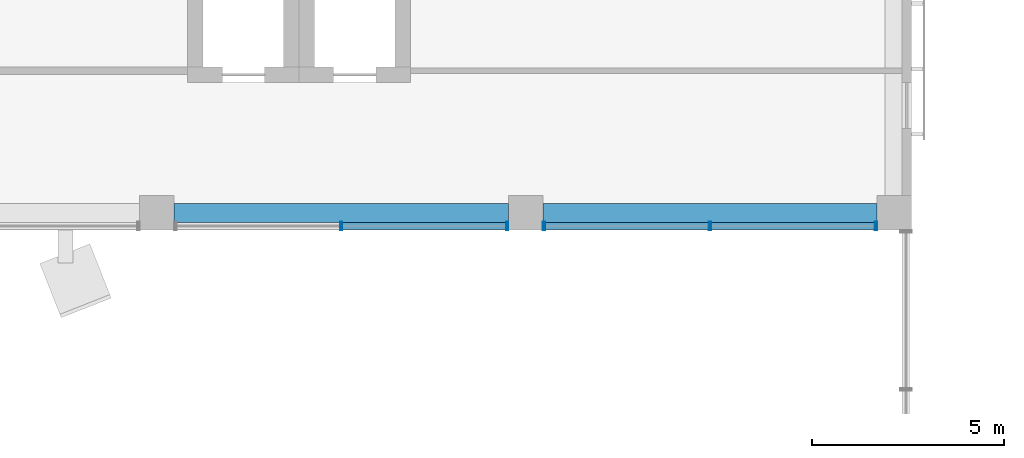
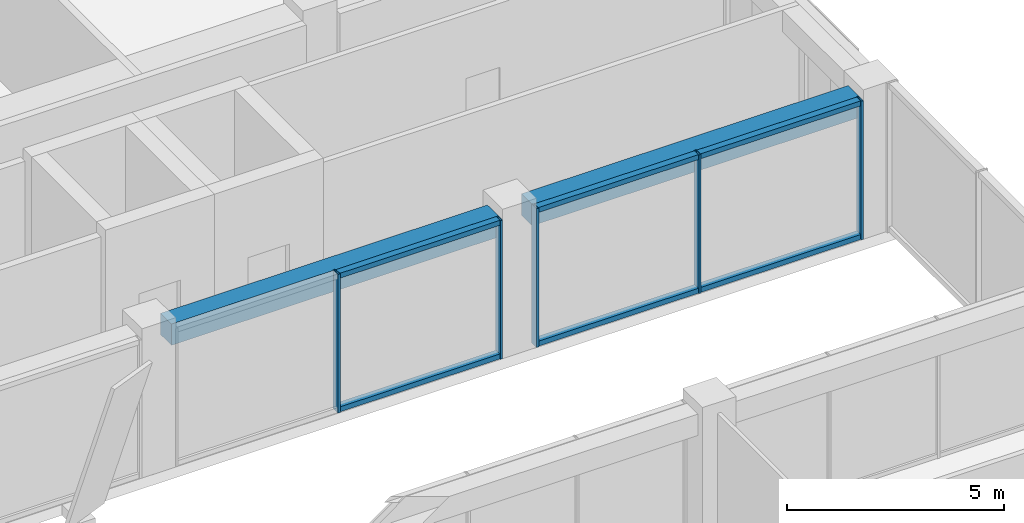
# One storey, part 18 of 36: 11 members, 2 beams, 2 elements without a shape of their own.
"""IFC4 building model written with IfcOpenShell, lengths in metres."""

from ifc_helpers import new_model, si_unit, direction, frame, origin, origin_2d, place, context, subcontext, project, spatial, rectangle, hollow_rectangle, extrude, material, layer, layer_set, material_profile, profile_set, type_object, element, aggregate, save


model = new_model("IFC4")

# Units and contexts
model_context = context("Model", 3, precision=1e-05, world=origin(), true_north=direction((0.0, 1.0)))
body_context = subcontext(model_context, "Body", "Model", "MODEL_VIEW")
ifc_project = project(units=[si_unit("LENGTHUNIT", "METRE"), si_unit("AREAUNIT", "SQUARE_METRE"), si_unit("VOLUMEUNIT", "CUBIC_METRE"), si_unit("PLANEANGLEUNIT", "RADIAN"), si_unit("MASSUNIT", "GRAM", prefix="KILO")], contexts=[model_context])

# Site, building, storey
site_placement = place(None, origin())
site = spatial("IfcSite", under=ifc_project, at=site_placement, CompositionType="ELEMENT")
building_placement = place(site_placement, origin())
building = spatial("IfcBuilding", under=site, at=building_placement, Name="Nzadi Deep Aquarium and Research Tower", CompositionType="ELEMENT")
storey_placement = place(building_placement, frame((0.0, 0.0, 40.300048828125)))
storey = spatial("IfcBuildingStorey", under=building, at=storey_placement, Name="L07", CompositionType="ELEMENT", Elevation=40.300048828125)

# Curtain wall, members
ifc_material_1 = material(Name="Aluminium unitised frame deep", Category="aluminium")
ifc_layer = layer(ifc_material_1, 0.22509765625)
ifc_layer_set = layer_set([ifc_layer], Name="Aluminium unitised frame deep")
curtain_wall_type = type_object("IfcCurtainWallType", Name="Curtain wall Unitised Deep 225", PredefinedType="NOTDEFINED", material=ifc_layer_set)
curtain_wall_1_placement = place(storey_placement, origin())
curtain_wall_1 = element("IfcCurtainWall", 1, at=curtain_wall_1_placement, inside=storey, type_object=curtain_wall_type, Name="Unitised curtain wall blade B south L07", PredefinedType="NOTDEFINED")
ifc_material_2 = material(Name="Aluminium unitised frame deep", Category="aluminium")
ifc_material_profile_1 = material_profile(ifc_material_2, hollow_rectangle(XDim=0.22509765625, YDim=0.06005859375, WallThickness=0.0048828125, at=origin_2d()))
ifc_profile_set_1 = profile_set([ifc_material_profile_1], Name="Aluminium unitised frame deep")
member_type_1 = type_object("IfcMemberType", Name="Mullion 60x225 Unitised Deep", PredefinedType="MULLION", material=ifc_profile_set_1)
member_1_placement = place(storey_placement, frame((33.60009765625, 27.262451171875, 0.0), z_axis=(0.0, 0.0, 1.0), x_axis=(0.0, 1.0, 0.0)))
member_1 = element("IfcMember", 2, at=member_1_placement, type_object=member_type_1, Name="CW101 mullion 2", PredefinedType="MULLION", context=body_context, shape_type="SweptSolid", body=[
    extrude(hollow_rectangle(XDim=0.22509765625, YDim=0.06005859375, WallThickness=0.0048828125, at=origin_2d()), origin(), (0.0, 0.0, 1.0), 3.89990234375),
])
member_2_placement = place(storey_placement, frame((37.919921875, 27.262451171875, 0.0), z_axis=(0.0, 0.0, 1.0), x_axis=(0.0, 1.0, 0.0)))
member_2 = element("IfcMember", 3, at=member_2_placement, type_object=member_type_1, Name="CW101 mullion 3", PredefinedType="MULLION", context=body_context, shape_type="SweptSolid", body=[
    extrude(hollow_rectangle(XDim=0.22509765625, YDim=0.06005859375, WallThickness=0.0048828125, at=origin_2d()), origin(), (0.0, 0.0, 1.0), 3.89990234375),
])

curtain_wall_2_placement = place(storey_placement, origin())
curtain_wall_2 = element("IfcCurtainWall", 4, at=curtain_wall_2_placement, inside=storey, type_object=curtain_wall_type, Name="Unitised curtain wall blade B south L07", PredefinedType="NOTDEFINED")
member_3_placement = place(storey_placement, frame((38.8798828125, 27.262451171875, 0.0), z_axis=(0.0, 0.0, 1.0), x_axis=(0.0, 1.0, 0.0)))
member_3 = element("IfcMember", 5, at=member_3_placement, type_object=member_type_1, Name="CW102 mullion 1", PredefinedType="MULLION", context=body_context, shape_type="SweptSolid", body=[
    extrude(hollow_rectangle(XDim=0.22509765625, YDim=0.06005859375, WallThickness=0.0048828125, at=origin_2d()), origin(), (0.0, 0.0, 1.0), 3.89990234375),
])
member_4_placement = place(storey_placement, frame((43.199951171875, 27.262451171875, 0.0), z_axis=(0.0, 0.0, 1.0), x_axis=(0.0, 1.0, 0.0)))
member_4 = element("IfcMember", 6, at=member_4_placement, type_object=member_type_1, Name="CW102 mullion 2", PredefinedType="MULLION", context=body_context, shape_type="SweptSolid", body=[
    extrude(hollow_rectangle(XDim=0.22509765625, YDim=0.06005859375, WallThickness=0.0048828125, at=origin_2d()), origin(), (0.0, 0.0, 1.0), 3.89990234375),
])
member_5_placement = place(storey_placement, frame((47.52001953125, 27.262451171875, 0.0), z_axis=(0.0, 0.0, 1.0), x_axis=(0.0, 1.0, 0.0)))
member_5 = element("IfcMember", 7, at=member_5_placement, type_object=member_type_1, Name="CW102 mullion 3", PredefinedType="MULLION", context=body_context, shape_type="SweptSolid", body=[
    extrude(hollow_rectangle(XDim=0.22509765625, YDim=0.06005859375, WallThickness=0.0048828125, at=origin_2d()), origin(), (0.0, 0.0, 1.0), 3.89990234375),
])

# Beams
ifc_material_3 = material(Name="Concrete C35/45", Category="concrete")
ifc_material_profile_2 = material_profile(ifc_material_3, rectangle(XDim=0.5, YDim=0.60009765625, at=origin_2d()))
ifc_profile_set_2 = profile_set([ifc_material_profile_2], Name="Concrete C35/45")
beam_type = type_object("IfcBeamType", Name="RC 500x600", PredefinedType="BEAM", material=ifc_profile_set_2)
for number, where, z_axis, x_axis, name in (
    (8, (29.25, 27.60009765625, 3.599853515625), (1.0, 0.0, 0.0), (0.0, 1.0, 0.0), "B-Z1-L07-L4-4"),
    (9, (38.85009765625, 27.60009765625, 3.599853515625), (1.0, 0.0, 0.0), (0.0, 1.0, 0.0), "B-Z1-L07-L4-5"),
):
    element("IfcBeam", number, at=place(storey_placement, frame(where, z_axis=z_axis, x_axis=x_axis)), inside=storey, type_object=beam_type, Name=name, PredefinedType="BEAM", context=body_context, shape_type="SweptSolid", body=[
        extrude(rectangle(XDim=0.5, YDim=0.60009765625, at=origin_2d()), origin(), (0.0, 0.0, 1.0), 8.699951171875),
    ])

# Member
ifc_material_4 = material(Name="Aluminium unitised frame deep", Category="aluminium")
ifc_material_profile_3 = material_profile(ifc_material_4, hollow_rectangle(XDim=0.179931640625, YDim=0.139892578125, WallThickness=0.0048828125, at=origin_2d()))
ifc_profile_set_3 = profile_set([ifc_material_profile_3], Name="Aluminium unitised frame deep")
member_type_2 = type_object("IfcMemberType", Name="Transom 140x180 Unitised Deep", PredefinedType="MULLION", material=ifc_profile_set_3)
member_6_placement = place(storey_placement, frame((33.6298828125, 27.262451171875, 0.070068359375), z_axis=(1.0, 0.0, 0.0), x_axis=(0.0, 1.0, 0.0)))
member_6 = element("IfcMember", 10, at=member_6_placement, type_object=member_type_2, Name="CW101 transom 2.1", PredefinedType="MULLION", context=body_context, shape_type="SweptSolid", body=[
    extrude(hollow_rectangle(XDim=0.179931640625, YDim=0.139892578125, WallThickness=0.0048828125, at=origin_2d()), origin(), (0.0, 0.0, 1.0), 4.260009765625),
])

member_7_placement = place(storey_placement, frame((33.6298828125, 27.262451171875, 3.829833984375), z_axis=(1.0, 0.0, 0.0), x_axis=(0.0, 1.0, 0.0)))
member_7 = element("IfcMember", 11, at=member_7_placement, type_object=member_type_2, Name="CW101 transom 2.2", PredefinedType="MULLION", context=body_context, shape_type="SweptSolid", body=[
    extrude(hollow_rectangle(XDim=0.179931640625, YDim=0.139892578125, WallThickness=0.0048828125, at=origin_2d()), origin(), (0.0, 0.0, 1.0), 4.260009765625),
])

aggregate(curtain_wall_1, [member_1, member_2, member_6, member_7])

member_8_placement = place(storey_placement, frame((38.909912109375, 27.262451171875, 0.070068359375), z_axis=(1.0, 0.0, 0.0), x_axis=(0.0, 1.0, 0.0)))
member_8 = element("IfcMember", 12, at=member_8_placement, type_object=member_type_2, Name="CW102 transom 1.1", PredefinedType="MULLION", context=body_context, shape_type="SweptSolid", body=[
    extrude(hollow_rectangle(XDim=0.179931640625, YDim=0.139892578125, WallThickness=0.0048828125, at=origin_2d()), origin(), (0.0, 0.0, 1.0), 4.260009765625),
])

member_9_placement = place(storey_placement, frame((38.909912109375, 27.262451171875, 3.829833984375), z_axis=(1.0, 0.0, 0.0), x_axis=(0.0, 1.0, 0.0)))
member_9 = element("IfcMember", 13, at=member_9_placement, type_object=member_type_2, Name="CW102 transom 1.2", PredefinedType="MULLION", context=body_context, shape_type="SweptSolid", body=[
    extrude(hollow_rectangle(XDim=0.179931640625, YDim=0.139892578125, WallThickness=0.0048828125, at=origin_2d()), origin(), (0.0, 0.0, 1.0), 4.260009765625),
])

member_10_placement = place(storey_placement, frame((43.22998046875, 27.262451171875, 0.070068359375), z_axis=(1.0, 0.0, 0.0), x_axis=(0.0, 1.0, 0.0)))
member_10 = element("IfcMember", 14, at=member_10_placement, type_object=member_type_2, Name="CW102 transom 2.1", PredefinedType="MULLION", context=body_context, shape_type="SweptSolid", body=[
    extrude(hollow_rectangle(XDim=0.179931640625, YDim=0.139892578125, WallThickness=0.0048828125, at=origin_2d()), origin(), (0.0, 0.0, 1.0), 4.260009765625),
])

member_11_placement = place(storey_placement, frame((43.22998046875, 27.262451171875, 3.829833984375), z_axis=(1.0, 0.0, 0.0), x_axis=(0.0, 1.0, 0.0)))
member_11 = element("IfcMember", 15, at=member_11_placement, type_object=member_type_2, Name="CW102 transom 2.2", PredefinedType="MULLION", context=body_context, shape_type="SweptSolid", body=[
    extrude(hollow_rectangle(XDim=0.179931640625, YDim=0.139892578125, WallThickness=0.0048828125, at=origin_2d()), origin(), (0.0, 0.0, 1.0), 4.260009765625),
])

aggregate(curtain_wall_2, [member_3, member_4, member_5, member_8, member_9, member_10, member_11])

save(model, "model.ifc")
